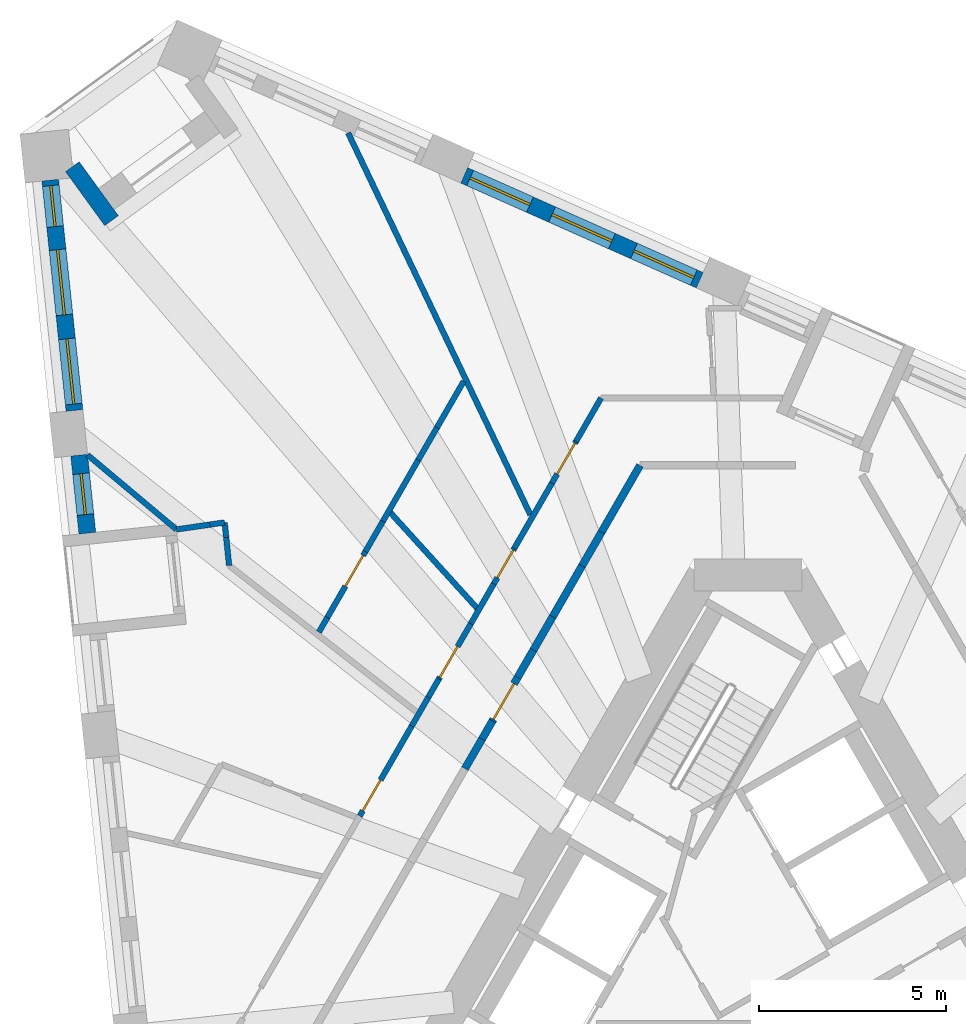
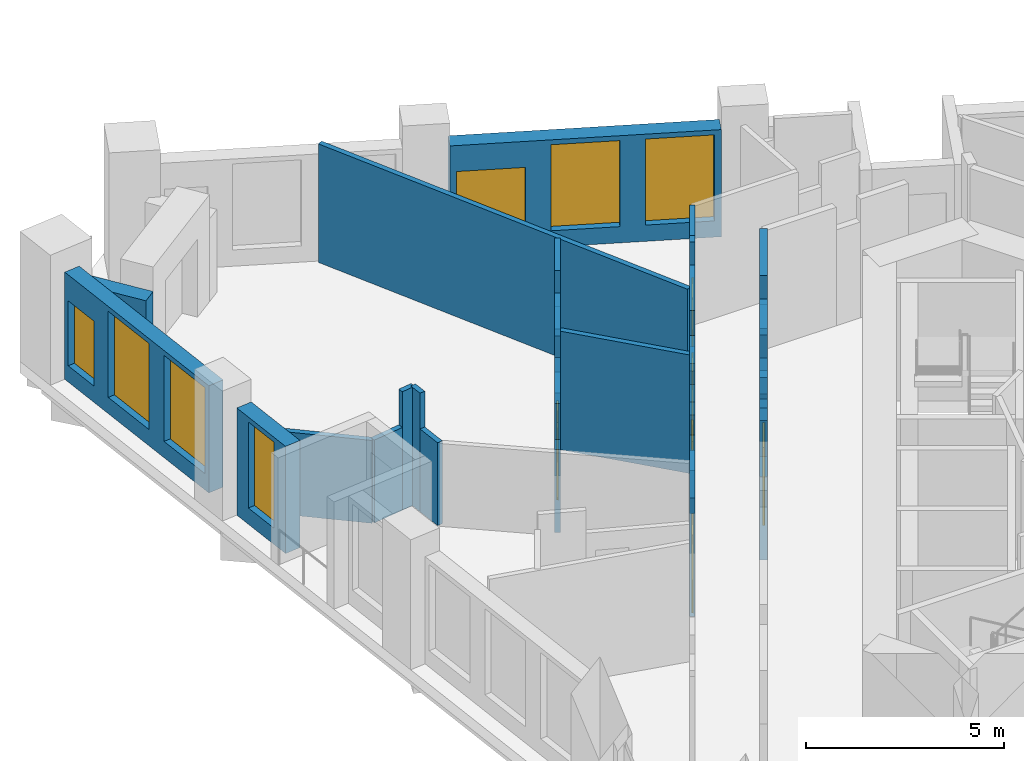
# One storey, part 7 of 14: 34 walls, 7 windows, 6 doors, 13 openings.
"""IFC4 building model written with IfcOpenShell, lengths in metres."""

from ifc_helpers import new_model, si_unit, direction, frame, frame_2d, origin, place, context, subcontext, project, spatial, polyline, rectangle, outline, extrude, material, layer, layer_set, type_object, element, fill, save


model = new_model("IFC4")

# Units and contexts
model_context = context("Model", 3, precision=1e-05, world=origin(), true_north=direction((0.0, 1.0)))
body_context = subcontext(model_context, "Body", "Model", "MODEL_VIEW")
ifc_project = project(units=[si_unit("LENGTHUNIT", "METRE"), si_unit("AREAUNIT", "SQUARE_METRE"), si_unit("VOLUMEUNIT", "CUBIC_METRE"), si_unit("PLANEANGLEUNIT", "RADIAN"), si_unit("MASSUNIT", "GRAM", prefix="KILO")], contexts=[model_context])

# Site, building, storey
site_placement = place(None, origin())
site = spatial("IfcSite", under=ifc_project, at=site_placement, CompositionType="ELEMENT")
building_placement = place(site_placement, origin())
building = spatial("IfcBuilding", under=site, at=building_placement, Name="Tramontana Tower", CompositionType="ELEMENT")
storey_placement = place(building_placement, frame((0.0, 0.0, 174.800048828125)))
storey = spatial("IfcBuildingStorey", under=building, at=storey_placement, Name="L40", CompositionType="ELEMENT", Elevation=174.800048828125)

# Walls
ifc_material_1 = material(Name="Blockwork", Category="masonry")
ifc_layer_1 = layer(ifc_material_1, 0.199951171875)
ifc_layer_set_1 = layer_set([ifc_layer_1], Name="ENTRY WALL 200")
wall_type_1 = type_object("IfcWallType", Name="ENTRY WALL 200", PredefinedType="SOLIDWALL", material=ifc_layer_set_1)
wall_1_placement = place(storey_placement, frame((-7.561279296875, 5.403564453125, 0.0), z_axis=(0.0, 0.0, 1.0), x_axis=(0.499977996243, 0.866038107287, 0.0)))
element("IfcWall", 1, at=wall_1_placement, inside=storey, type_object=wall_type_1, Name="Wall v41-ew4-5", PredefinedType="SOLIDWALL", context=body_context, shape_type="SweptSolid", body=[
    extrude(rectangle(XDim=0.90966796875, YDim=0.199951171875, at=frame_2d((0.454833984375, 0.0))), origin(), (0.0, 0.0, 1.0), 2.550048828125),
])
wall_2_placement = place(storey_placement, frame((-7.1064453125, 6.19140625, 0.0), z_axis=(0.0, 0.0, 1.0), x_axis=(0.499986818241, 0.866033014143, 0.0)))
element("IfcWall", 2, at=wall_2_placement, inside=storey, type_object=wall_type_1, Name="Wall v41-ew4-6", PredefinedType="SOLIDWALL", context=body_context, shape_type="SweptSolid", body=[
    extrude(rectangle(XDim=0.5595703125, YDim=0.199951171875, at=frame_2d((0.27978515625, 0.0))), origin(), (0.0, 0.0, 1.0), 3.64990234375),
])

# Wall, opening, door
wall_3_placement = place(storey_placement, frame((-6.82666015625, 6.676025390625, 0.0), z_axis=(0.0, 0.0, 1.0), x_axis=(0.500062873969, 0.865989100438, 0.0)))
wall_3 = element("IfcWall", 3, at=wall_3_placement, inside=storey, type_object=wall_type_1, Name="Wall v41-ew4-7", PredefinedType="SOLIDWALL", context=body_context, shape_type="SweptSolid", body=[
    extrude(outline(polyline([(0.0, 0.0), (1.344970703125, 0.0), (1.344970703125, 2.550048828125), (0.391357421875, 2.550048828125), (0.391357421875, 3.64990234375), (0.0, 3.64990234375), (0.0, 0.0)])), frame((0.0, 0.10009765625, 0.0), z_axis=(0.0, -1.0, 0.0), x_axis=(1.0, 0.0, 0.0)), (0.0, 0.0, 1.0), 0.199951171875),
])
opening_1_placement = place(wall_3_placement, frame((0.050048828125, 0.0, 0.0)))
opening_1 = element("IfcOpeningElement", 4, at=opening_1_placement, cuts=wall_3, Name="Opening B4B-24", PredefinedType="OPENING", context=body_context, shape_type="SweptSolid", body=[
    extrude(rectangle(XDim=1.10009765625, YDim=2.39990234375, at=frame_2d((0.550048828125, 1.199951171875))), frame((0.0, 0.10986328125, 0.0), z_axis=(0.0, -1.0, 0.0), x_axis=(1.0, 0.0, 0.0)), (0.0, 0.0, 1.0), 0.219970703125),
])
ifc_material_2 = material(Name="Painted timber", Category="wood")
door_type_1 = type_object("IfcDoorType", Name="DOOR ENTRY 1100", OperationType="SINGLE_SWING_LEFT", PredefinedType="DOOR", material=ifc_material_2)
door_1_placement = place(opening_1_placement, origin())
door_1 = element("IfcDoor", 5, at=door_1_placement, inside=storey, type_object=door_type_1, Name="Door B4B-24", OperationType="SINGLE_SWING_RIGHT", OverallHeight=2.39990234375, OverallWidth=1.10009765625, PredefinedType="DOOR", context=body_context, shape_type="SweptSolid", body=[
    extrude(rectangle(XDim=1.10009765625, YDim=2.39990234375, at=frame_2d((0.550048828125, 1.199951171875))), frame((0.0, 0.02490234375, 0.0), z_axis=(0.0, -1.0, 0.0), x_axis=(1.0, 0.0, 0.0)), (0.0, 0.0, 1.0), 0.050048828125),
])
fill(opening_1, door_1)

# Walls
wall_4_placement = place(storey_placement, frame((-6.154052734375, 7.8408203125, 0.0), z_axis=(0.0, 0.0, 1.0), x_axis=(0.499822960955, 0.8661275932, 0.0)))
element("IfcWall", 6, at=wall_4_placement, inside=storey, type_object=wall_type_1, Name="Wall v41-ew4-8", PredefinedType="SOLIDWALL", context=body_context, shape_type="SweptSolid", body=[
    extrude(rectangle(XDim=0.841064453125, YDim=0.199951171875, at=frame_2d((0.42041015625, 0.0))), origin(), (0.0, 0.0, 1.0), 3.64990234375),
])
wall_5_placement = place(storey_placement, frame((-5.733642578125, 8.5693359375, 0.0), z_axis=(0.0, 0.0, 1.0), x_axis=(0.500079402778, 0.865979555715, 0.0)))
element("IfcWall", 7, at=wall_5_placement, inside=storey, type_object=wall_type_1, Name="Wall v41-ew4-9", PredefinedType="SOLIDWALL", context=body_context, shape_type="SweptSolid", body=[
    extrude(rectangle(XDim=1.026123046875, YDim=0.199951171875, at=frame_2d((0.51318359375, 0.0))), origin(), (0.0, 0.0, 1.0), 2.550048828125),
])
wall_6_placement = place(storey_placement, frame((-5.220458984375, 9.4580078125, 0.0), z_axis=(0.0, 0.0, 1.0), x_axis=(0.500031717574, 0.86600709086, 0.0)))
element("IfcWall", 8, at=wall_6_placement, inside=storey, type_object=wall_type_1, Name="Wall v41-ew4-10", PredefinedType="SOLIDWALL", context=body_context, shape_type="SweptSolid", body=[
    extrude(rectangle(XDim=1.57177734375, YDim=0.199951171875, at=frame_2d((0.785888671875, 0.0))), origin(), (0.0, 0.0, 1.0), 3.64990234375),
])
wall_7_placement = place(storey_placement, frame((-4.4345703125, 10.819091796875, 0.0), z_axis=(0.0, 0.0, 1.0), x_axis=(0.500054530113, 0.86599391852, 0.0)))
element("IfcWall", 9, at=wall_7_placement, inside=storey, type_object=wall_type_1, Name="Wall v41-ew4-11", PredefinedType="SOLIDWALL", context=body_context, shape_type="SweptSolid", body=[
    extrude(rectangle(XDim=1.03955078125, YDim=0.199951171875, at=frame_2d((0.519775390625, 0.0))), origin(), (0.0, 0.0, 1.0), 2.75),
])
wall_8_placement = place(storey_placement, frame((-3.914794921875, 11.71923828125, 0.0), z_axis=(0.0, 0.0, 1.0), x_axis=(0.499982825521, 0.866035319247, 0.0)))
element("IfcWall", 10, at=wall_8_placement, inside=storey, type_object=wall_type_1, Name="Wall v41-ew4-12", PredefinedType="SOLIDWALL", context=body_context, shape_type="SweptSolid", body=[
    extrude(rectangle(XDim=2.05615234375, YDim=0.199951171875, at=frame_2d((1.028076171875, 0.0))), origin(), (0.0, 0.0, 1.0), 3.64990234375),
])

# Wall, openings, windows
ifc_material_3 = material(Name="Precast concrete 60 MPa", Category="concrete")
ifc_layer_2 = layer(ifc_material_3, 0.449951171875)
ifc_layer_set_2 = layer_set([ifc_layer_2], Name="Precast concrete 60 MPa, 450 mm")
wall_type_2 = type_object("IfcWallType", Name="EW1 Stone-faced precast wall 450", PredefinedType="SOLIDWALL", material=ifc_layer_set_2)
wall_9_placement = place(storey_placement, frame((-18.63427734375, 21.116455078125, 0.0), z_axis=(0.0, 0.0, 1.0), x_axis=(0.104522399115, -0.994522532718, 0.0)))
wall_9 = element("IfcWall", 11, at=wall_9_placement, inside=storey, type_object=wall_type_2, Name="External wall L40 face 0 bay 1", PredefinedType="SOLIDWALL", context=body_context, shape_type="SweptSolid", body=[
    extrude(rectangle(XDim=6.182861328125, YDim=0.449951171875, at=frame_2d((3.09130859375, 0.0))), origin(), (0.0, 0.0, 1.0), 3.300048828125),
])
opening_2_placement = place(wall_9_placement, frame((0.147216796875, 0.0, 0.5)))
opening_2 = element("IfcOpeningElement", 12, at=opening_2_placement, cuts=wall_9, Name="Opening N2L", PredefinedType="OPENING", context=body_context, shape_type="SweptSolid", body=[
    extrude(rectangle(XDim=1.10009765625, YDim=2.0, at=frame_2d((0.550048828125, 1.0))), frame((0.0, 0.23486328125, 0.0), z_axis=(0.0, -1.0, 0.0), x_axis=(1.0, 0.0, 0.0)), (0.0, 0.0, 1.0), 0.469970703125),
])
opening_3_placement = place(wall_9_placement, frame((1.866455078125, 0.0, 0.5)))
opening_3 = element("IfcOpeningElement", 13, at=opening_3_placement, cuts=wall_9, Name="Opening M2", PredefinedType="OPENING", context=body_context, shape_type="SweptSolid", body=[
    extrude(rectangle(XDim=1.75, YDim=2.64990234375, at=frame_2d((0.875, 1.324951171875))), frame((0.0, 0.23486328125, 0.0), z_axis=(0.0, -1.0, 0.0), x_axis=(1.0, 0.0, 0.0)), (0.0, 0.0, 1.0), 0.469970703125),
])
opening_4_placement = place(wall_9_placement, frame((4.2607421875, 0.0, 0.5)))
opening_4 = element("IfcOpeningElement", 14, at=opening_4_placement, cuts=wall_9, Name="Opening M2", PredefinedType="OPENING", context=body_context, shape_type="SweptSolid", body=[
    extrude(rectangle(XDim=1.75, YDim=2.64990234375, at=frame_2d((0.875, 1.324951171875))), frame((0.0, 0.23486328125, 0.0), z_axis=(0.0, -1.0, 0.0), x_axis=(1.0, 0.0, 0.0)), (0.0, 0.0, 1.0), 0.469970703125),
])
ifc_material_4 = material(Name="Aluminum frame, double glazing unit", Category="aluminium")
window_type_1 = type_object("IfcWindowType", Name="M2 Window 1.75 x 2.65", PartitioningType="SINGLE_PANEL", PredefinedType="WINDOW", material=ifc_material_4)
window_1_placement = place(opening_3_placement, origin())
window_1 = element("IfcWindow", 15, at=window_1_placement, inside=storey, type_object=window_type_1, Name="Window M2 L40 face 0 module 2", OverallHeight=2.64990234375, OverallWidth=1.75, PartitioningType="SINGLE_PANEL", PredefinedType="WINDOW", context=body_context, shape_type="SweptSolid", body=[
    extrude(rectangle(XDim=1.75, YDim=2.64990234375, at=frame_2d((0.875, 1.324951171875))), frame((0.0, 0.030029296875, 0.0), z_axis=(0.0, -1.0, 0.0), x_axis=(1.0, 0.0, 0.0)), (0.0, 0.0, 1.0), 0.06005859375),
])
fill(opening_3, window_1)
window_2_placement = place(opening_4_placement, origin())
window_2 = element("IfcWindow", 16, at=window_2_placement, inside=storey, type_object=window_type_1, Name="Window M2 L40 face 0 module 3", OverallHeight=2.64990234375, OverallWidth=1.75, PartitioningType="SINGLE_PANEL", PredefinedType="WINDOW", context=body_context, shape_type="SweptSolid", body=[
    extrude(rectangle(XDim=1.75, YDim=2.64990234375, at=frame_2d((0.875, 1.324951171875))), frame((0.0, 0.030029296875, 0.0), z_axis=(0.0, -1.0, 0.0), x_axis=(1.0, 0.0, 0.0)), (0.0, 0.0, 1.0), 0.06005859375),
])
fill(opening_4, window_2)
ifc_material_5 = material(Name="Aluminum frame, double glazing unit", Category="aluminium")
window_type_2 = type_object("IfcWindowType", Name="N2L Window 1.1 x 2", PartitioningType="SINGLE_PANEL", PredefinedType="WINDOW", material=ifc_material_5)
window_3_placement = place(opening_2_placement, origin())
window_3 = element("IfcWindow", 17, at=window_3_placement, inside=storey, type_object=window_type_2, Name="Window N2L L40 face 0 module 1", OverallHeight=2.0, OverallWidth=1.10009765625, PartitioningType="SINGLE_PANEL", PredefinedType="WINDOW", context=body_context, shape_type="SweptSolid", body=[
    extrude(rectangle(XDim=1.10009765625, YDim=2.0, at=frame_2d((0.550048828125, 1.0))), frame((0.0, 0.030029296875, 0.0), z_axis=(0.0, -1.0, 0.0), x_axis=(1.0, 0.0, 0.0)), (0.0, 0.0, 1.0), 0.06005859375),
])
fill(opening_2, window_3)

# Wall, opening, window
wall_10_placement = place(storey_placement, frame((-17.862548828125, 13.774169921875, 0.0), z_axis=(0.0, 0.0, 1.0), x_axis=(0.104442071108, -0.994530971756, 0.0)))
wall_10 = element("IfcWall", 18, at=wall_10_placement, inside=storey, type_object=wall_type_2, Name="External wall L40 face 0 bay 2", PredefinedType="SOLIDWALL", context=body_context, shape_type="SweptSolid", body=[
    extrude(rectangle(XDim=2.094482421875, YDim=0.449951171875, at=frame_2d((1.04736328125, 0.0))), origin(), (0.0, 0.0, 1.0), 3.300048828125),
])
opening_5_placement = place(wall_10_placement, frame((0.4970703125, 0.0, 0.5)))
opening_5 = element("IfcOpeningElement", 19, at=opening_5_placement, cuts=wall_10, Name="Opening N2", PredefinedType="OPENING", context=body_context, shape_type="SweptSolid", body=[
    extrude(rectangle(XDim=1.10009765625, YDim=2.64990234375, at=frame_2d((0.550048828125, 1.324951171875))), frame((0.0, 0.23486328125, 0.0), z_axis=(0.0, -1.0, 0.0), x_axis=(1.0, 0.0, 0.0)), (0.0, 0.0, 1.0), 0.469970703125),
])
ifc_material_6 = material(Name="Aluminum frame, double glazing unit", Category="aluminium")
window_type_3 = type_object("IfcWindowType", Name="N2 Window 1.1 x 2.65", PartitioningType="SINGLE_PANEL", PredefinedType="WINDOW", material=ifc_material_6)
window_4_placement = place(opening_5_placement, origin())
window_4 = element("IfcWindow", 20, at=window_4_placement, inside=storey, type_object=window_type_3, Name="Window N2 L40 face 0 module 4", OverallHeight=2.64990234375, OverallWidth=1.10009765625, PartitioningType="SINGLE_PANEL", PredefinedType="WINDOW", context=body_context, shape_type="SweptSolid", body=[
    extrude(rectangle(XDim=1.10009765625, YDim=2.64990234375, at=frame_2d((0.550048828125, 1.324951171875))), frame((0.0, 0.030029296875, 0.0), z_axis=(0.0, -1.0, 0.0), x_axis=(1.0, 0.0, 0.0)), (0.0, 0.0, 1.0), 0.06005859375),
])
fill(opening_5, window_4)

# Wall, openings, windows
wall_11_placement = place(storey_placement, frame((-1.292236328125, 18.4453125, 0.0), z_axis=(0.0, 0.0, 1.0), x_axis=(-0.913543675585, 0.40674064562, 0.0)))
wall_11 = element("IfcWall", 21, at=wall_11_placement, inside=storey, type_object=wall_type_2, Name="External wall L40 face 2 bay 5", PredefinedType="SOLIDWALL", context=body_context, shape_type="SweptSolid", body=[
    extrude(rectangle(XDim=6.8828125, YDim=0.449951171875, at=frame_2d((3.44140625, 0.0))), origin(), (0.0, 0.0, 1.0), 3.300048828125),
])
opening_6_placement = place(wall_11_placement, frame((0.172119140625, 0.0, 0.5)))
opening_6 = element("IfcOpeningElement", 22, at=opening_6_placement, cuts=wall_11, Name="Opening M2", PredefinedType="OPENING", context=body_context, shape_type="SweptSolid", body=[
    extrude(rectangle(XDim=1.75, YDim=2.64990234375, at=frame_2d((0.875, 1.324951171875))), frame((0.0, 0.23486328125, 0.0), z_axis=(0.0, -1.0, 0.0), x_axis=(1.0, 0.0, 0.0)), (0.0, 0.0, 1.0), 0.469970703125),
])
opening_7_placement = place(wall_11_placement, frame((2.56640625, 0.0, 0.5)))
opening_7 = element("IfcOpeningElement", 23, at=opening_7_placement, cuts=wall_11, Name="Opening M2", PredefinedType="OPENING", context=body_context, shape_type="SweptSolid", body=[
    extrude(rectangle(XDim=1.75, YDim=2.64990234375, at=frame_2d((0.875, 1.324951171875))), frame((0.0, 0.23486328125, 0.0), z_axis=(0.0, -1.0, 0.0), x_axis=(1.0, 0.0, 0.0)), (0.0, 0.0, 1.0), 0.469970703125),
])
opening_8_placement = place(wall_11_placement, frame((4.960693359375, 0.0, 0.5)))
opening_8 = element("IfcOpeningElement", 24, at=opening_8_placement, cuts=wall_11, Name="Opening M2L", PredefinedType="OPENING", context=body_context, shape_type="SweptSolid", body=[
    extrude(rectangle(XDim=1.75, YDim=2.0, at=frame_2d((0.875, 1.0))), frame((0.0, 0.23486328125, 0.0), z_axis=(0.0, -1.0, 0.0), x_axis=(1.0, 0.0, 0.0)), (0.0, 0.0, 1.0), 0.469970703125),
])
window_5_placement = place(opening_6_placement, origin())
window_5 = element("IfcWindow", 25, at=window_5_placement, inside=storey, type_object=window_type_1, Name="Window M2 L40 face 2 module 13", OverallHeight=2.64990234375, OverallWidth=1.75, PartitioningType="SINGLE_PANEL", PredefinedType="WINDOW", context=body_context, shape_type="SweptSolid", body=[
    extrude(rectangle(XDim=1.75, YDim=2.64990234375, at=frame_2d((0.875, 1.324951171875))), frame((0.0, 0.030029296875, 0.0), z_axis=(0.0, -1.0, 0.0), x_axis=(1.0, 0.0, 0.0)), (0.0, 0.0, 1.0), 0.06005859375),
])
fill(opening_6, window_5)
window_6_placement = place(opening_7_placement, origin())
window_6 = element("IfcWindow", 26, at=window_6_placement, inside=storey, type_object=window_type_1, Name="Window M2 L40 face 2 module 14", OverallHeight=2.64990234375, OverallWidth=1.75, PartitioningType="SINGLE_PANEL", PredefinedType="WINDOW", context=body_context, shape_type="SweptSolid", body=[
    extrude(rectangle(XDim=1.75, YDim=2.64990234375, at=frame_2d((0.875, 1.324951171875))), frame((0.0, 0.030029296875, 0.0), z_axis=(0.0, -1.0, 0.0), x_axis=(1.0, 0.0, 0.0)), (0.0, 0.0, 1.0), 0.06005859375),
])
fill(opening_7, window_6)
ifc_material_7 = material(Name="Aluminum frame, double glazing unit", Category="aluminium")
window_type_4 = type_object("IfcWindowType", Name="M2L Window 1.75 x 2", PartitioningType="SINGLE_PANEL", PredefinedType="WINDOW", material=ifc_material_7)
window_7_placement = place(opening_8_placement, origin())
window_7 = element("IfcWindow", 27, at=window_7_placement, inside=storey, type_object=window_type_4, Name="Window M2L L40 face 2 module 15", OverallHeight=2.0, OverallWidth=1.75, PartitioningType="SINGLE_PANEL", PredefinedType="WINDOW", context=body_context, shape_type="SweptSolid", body=[
    extrude(rectangle(XDim=1.75, YDim=2.0, at=frame_2d((0.875, 1.0))), frame((0.0, 0.030029296875, 0.0), z_axis=(0.0, -1.0, 0.0), x_axis=(1.0, 0.0, 0.0)), (0.0, 0.0, 1.0), 0.06005859375),
])
fill(opening_8, window_7)

# Walls
wall_12_placement = place(storey_placement, frame((-18.04345703125, 21.474853515625, 0.0), z_axis=(0.0, 0.0, 1.0), x_axis=(0.587722853316, -0.809062326209, 0.0)))
element("IfcWall", 28, at=wall_12_placement, inside=storey, type_object=wall_type_2, Name="Corner loggia side wall L40 K40l", PredefinedType="SOLIDWALL", context=body_context, shape_type="SweptSolid", body=[
    extrude(rectangle(XDim=1.779052734375, YDim=0.449951171875, at=frame_2d((0.8896484375, 0.0))), origin(), (0.0, 0.0, 1.0), 2.550048828125),
])
ifc_material_8 = material(Name="Gypsum board partition")
ifc_layer_3 = layer(ifc_material_8, 0.14990234375)
ifc_layer_set_3 = layer_set([ifc_layer_3], Name="PARTITION 150")
wall_type_3 = type_object("IfcWallType", Name="PARTITION 150", PredefinedType="PARTITIONING", material=ifc_layer_set_3)
wall_13_placement = place(storey_placement, frame((-15.26611328125, 11.790283203125, 0.0), z_axis=(0.0, 0.0, 1.0), x_axis=(-0.766063729465, 0.642764624414, 0.0)))
element("IfcWall", 29, at=wall_13_placement, inside=storey, type_object=wall_type_3, Name="Wall v41-pw01-0", PredefinedType="PARTITIONING", context=body_context, shape_type="SweptSolid", body=[
    extrude(rectangle(XDim=3.0947265625, YDim=0.14990234375, at=frame_2d((1.54736328125, 0.0))), origin(), (0.0, 0.0, 1.0), 2.550048828125),
])

# Wall, opening, door
wall_14_placement = place(storey_placement, frame((-10.369384765625, 4.1396484375, 0.0), z_axis=(0.0, 0.0, 1.0), x_axis=(0.50000932403, 0.866020020486, 0.0)))
wall_14 = element("IfcWall", 30, at=wall_14_placement, inside=storey, type_object=wall_type_3, Name="Wall v41-pw02-4", PredefinedType="PARTITIONING", context=body_context, shape_type="SweptSolid", body=[
    extrude(rectangle(XDim=2.77490234375, YDim=0.14990234375, at=frame_2d((1.387451171875, 0.0))), origin(), (0.0, 0.0, 1.0), 3.64990234375),
])
opening_9_placement = place(wall_14_placement, frame((0.15966796875, 0.0, 0.0)))
opening_9 = element("IfcOpeningElement", 31, at=opening_9_placement, cuts=wall_14, Name="Opening B4B-04", PredefinedType="OPENING", context=body_context, shape_type="SweptSolid", body=[
    extrude(rectangle(XDim=0.949951171875, YDim=2.39990234375, at=frame_2d((0.47509765625, 1.199951171875))), frame((0.0, 0.0849609375, 0.0), z_axis=(0.0, -1.0, 0.0), x_axis=(1.0, 0.0, 0.0)), (0.0, 0.0, 1.0), 0.169921875),
])
ifc_material_9 = material(Name="Painted timber", Category="wood")
door_type_2 = type_object("IfcDoorType", Name="DOOR ROOM 950", OperationType="SINGLE_SWING_LEFT", PredefinedType="DOOR", material=ifc_material_9)
door_2_placement = place(opening_9_placement, origin())
door_2 = element("IfcDoor", 32, at=door_2_placement, inside=storey, type_object=door_type_2, Name="Door B4B-04", OperationType="SINGLE_SWING_RIGHT", OverallHeight=2.39990234375, OverallWidth=0.949951171875, PredefinedType="DOOR", context=body_context, shape_type="SweptSolid", body=[
    extrude(rectangle(XDim=0.949951171875, YDim=2.39990234375, at=frame_2d((0.47509765625, 1.199951171875))), frame((0.0, 0.02490234375, 0.0), z_axis=(0.0, -1.0, 0.0), x_axis=(1.0, 0.0, 0.0)), (0.0, 0.0, 1.0), 0.050048828125),
])
fill(opening_9, door_2)

# Walls
wall_15_placement = place(storey_placement, frame((-8.98193359375, 6.542724609375, 0.0), z_axis=(0.0, 0.0, 1.0), x_axis=(0.499969398072, 0.866043071095, 0.0)))
element("IfcWall", 33, at=wall_15_placement, inside=storey, type_object=wall_type_3, Name="Wall v41-pw02-5", PredefinedType="PARTITIONING", context=body_context, shape_type="SweptSolid", body=[
    extrude(rectangle(XDim=0.88427734375, YDim=0.14990234375, at=frame_2d((0.442138671875, 0.0))), origin(), (0.0, 0.0, 1.0), 2.550048828125),
])
wall_16_placement = place(storey_placement, frame((-8.539794921875, 7.30859375, 0.0), z_axis=(0.0, 0.0, 1.0), x_axis=(0.500069835465, 0.865985080505, 0.0)))
element("IfcWall", 34, at=wall_16_placement, inside=storey, type_object=wall_type_3, Name="Wall v41-pw02-6", PredefinedType="PARTITIONING", context=body_context, shape_type="SweptSolid", body=[
    extrude(rectangle(XDim=0.56787109375, YDim=0.14990234375, at=frame_2d((0.283935546875, 0.0))), origin(), (0.0, 0.0, 1.0), 3.64990234375),
])

# Wall, opening, door
wall_17_placement = place(storey_placement, frame((-8.255859375, 7.80029296875, 0.0), z_axis=(0.0, 0.0, 1.0), x_axis=(0.499933497514, 0.866063795608, 0.0)))
wall_17 = element("IfcWall", 35, at=wall_17_placement, inside=storey, type_object=wall_type_3, Name="Wall v41-pw02-7", PredefinedType="PARTITIONING", context=body_context, shape_type="SweptSolid", body=[
    extrude(outline(polyline([(0.0, 0.0), (1.702392578125, 0.0), (1.70263671875, 2.550048828125), (0.775634765625, 2.550048828125), (0.775634765625, 3.64990234375), (0.0, 3.64990234375), (0.0, 0.0)])), frame((0.0, 0.074951171875, 0.0), z_axis=(0.0, -1.0, 0.0), x_axis=(1.0, 0.0, 0.0)), (0.0, 0.0, 1.0), 0.14990234375),
])
opening_10_placement = place(wall_17_placement, frame((0.050048828125, 0.0, 0.0)))
opening_10 = element("IfcOpeningElement", 36, at=opening_10_placement, cuts=wall_17, Name="Opening B4B-01", PredefinedType="OPENING", context=body_context, shape_type="SweptSolid", body=[
    extrude(rectangle(XDim=0.949951171875, YDim=2.39990234375, at=frame_2d((0.47509765625, 1.199951171875))), frame((0.0, 0.0849609375, 0.0), z_axis=(0.0, -1.0, 0.0), x_axis=(1.0, 0.0, 0.0)), (0.0, 0.0, 1.0), 0.169921875),
])
door_3_placement = place(opening_10_placement, origin())
door_3 = element("IfcDoor", 37, at=door_3_placement, inside=storey, type_object=door_type_2, Name="Door B4B-01", OperationType="SINGLE_SWING_LEFT", OverallHeight=2.39990234375, OverallWidth=0.949951171875, PredefinedType="DOOR", context=body_context, shape_type="SweptSolid", body=[
    extrude(rectangle(XDim=0.949951171875, YDim=2.39990234375, at=frame_2d((0.47509765625, 1.199951171875))), frame((0.0, 0.02490234375, 0.0), z_axis=(0.0, -1.0, 0.0), x_axis=(1.0, 0.0, 0.0)), (0.0, 0.0, 1.0), 0.050048828125),
])
fill(opening_10, door_3)

# Wall
wall_18_placement = place(storey_placement, frame((-7.40478515625, 9.274658203125, 0.0), z_axis=(0.0, 0.0, 1.0), x_axis=(0.500061746146, 0.865989751695, 0.0)))
element("IfcWall", 38, at=wall_18_placement, inside=storey, type_object=wall_type_3, Name="Wall v41-pw02-8", PredefinedType="PARTITIONING", context=body_context, shape_type="SweptSolid", body=[
    extrude(rectangle(XDim=1.224853515625, YDim=0.14990234375, at=frame_2d((0.6123046875, 0.0))), origin(), (0.0, 0.0, 1.0), 3.64990234375),
])

# Wall, opening, door
wall_19_placement = place(storey_placement, frame((-6.792236328125, 10.33544921875, 0.0), z_axis=(0.0, 0.0, 1.0), x_axis=(0.500031897912, 0.866006986733, 0.0)))
wall_19 = element("IfcWall", 39, at=wall_19_placement, inside=storey, type_object=wall_type_3, Name="Wall v41-pw02-9", PredefinedType="PARTITIONING", context=body_context, shape_type="SweptSolid", body=[
    extrude(rectangle(XDim=1.0927734375, YDim=0.14990234375, at=frame_2d((0.54638671875, 0.0))), origin(), (0.0, 0.0, 1.0), 2.550048828125),
])
opening_11_placement = place(wall_19_placement, frame((0.192626953125, 0.0, 0.0)))
opening_11 = element("IfcOpeningElement", 40, at=opening_11_placement, cuts=wall_19, Name="Opening B4B-02", PredefinedType="OPENING", context=body_context, shape_type="SweptSolid", body=[
    extrude(rectangle(XDim=0.85009765625, YDim=2.39990234375, at=frame_2d((0.425048828125, 1.199951171875))), frame((0.0, 0.0849609375, 0.0), z_axis=(0.0, -1.0, 0.0), x_axis=(1.0, 0.0, 0.0)), (0.0, 0.0, 1.0), 0.169921875),
])
ifc_material_10 = material(Name="Painted timber", Category="wood")
door_type_3 = type_object("IfcDoorType", Name="DOOR BATH 850", OperationType="SINGLE_SWING_LEFT", PredefinedType="DOOR", material=ifc_material_10)
door_4_placement = place(opening_11_placement, origin())
door_4 = element("IfcDoor", 41, at=door_4_placement, inside=storey, type_object=door_type_3, Name="Door B4B-02", OperationType="SINGLE_SWING_RIGHT", OverallHeight=2.39990234375, OverallWidth=0.85009765625, PredefinedType="DOOR", context=body_context, shape_type="SweptSolid", body=[
    extrude(rectangle(XDim=0.85009765625, YDim=2.39990234375, at=frame_2d((0.425048828125, 1.199951171875))), frame((0.0, 0.02490234375, 0.0), z_axis=(0.0, -1.0, 0.0), x_axis=(1.0, 0.0, 0.0)), (0.0, 0.0, 1.0), 0.050048828125),
])
fill(opening_11, door_4)

# Wall
wall_20_placement = place(storey_placement, frame((-6.245849609375, 11.28173828125, 0.0), z_axis=(0.0, 0.0, 1.0), x_axis=(0.499984757355, 0.866034203951, 0.0)))
element("IfcWall", 42, at=wall_20_placement, inside=storey, type_object=wall_type_3, Name="Wall v41-pw02-10", PredefinedType="PARTITIONING", context=body_context, shape_type="SweptSolid", body=[
    extrude(rectangle(XDim=2.01416015625, YDim=0.14990234375, at=frame_2d((1.007080078125, 0.0))), origin(), (0.0, 0.0, 1.0), 3.64990234375),
])

# Wall, opening, door
wall_21_placement = place(storey_placement, frame((-5.23876953125, 13.026123046875, 0.0), z_axis=(0.0, 0.0, 1.0), x_axis=(0.500013971981, 0.866017336907, 0.0)))
wall_21 = element("IfcWall", 43, at=wall_21_placement, inside=storey, type_object=wall_type_3, Name="Wall v41-pw02-11", PredefinedType="PARTITIONING", context=body_context, shape_type="SweptSolid", body=[
    extrude(outline(polyline([(0.0, 0.0), (1.28076171875, 0.0), (1.28076171875, 3.64990234375), (1.0068359375, 3.64990234375), (1.0068359375, 2.75), (0.0, 2.75), (0.0, 0.0)])), frame((0.0, 0.074951171875, 0.0), z_axis=(0.0, -1.0, 0.0), x_axis=(1.0, 0.0, 0.0)), (0.0, 0.0, 1.0), 0.14990234375),
])
opening_12_placement = place(wall_21_placement, frame((0.28076171875, 0.0, 0.0)))
opening_12 = element("IfcOpeningElement", 44, at=opening_12_placement, cuts=wall_21, Name="Opening B4B-03", PredefinedType="OPENING", context=body_context, shape_type="SweptSolid", body=[
    extrude(rectangle(XDim=0.949951171875, YDim=2.39990234375, at=frame_2d((0.47509765625, 1.199951171875))), frame((0.0, 0.0849609375, 0.0), z_axis=(0.0, -1.0, 0.0), x_axis=(1.0, 0.0, 0.0)), (0.0, 0.0, 1.0), 0.169921875),
])
door_5_placement = place(opening_12_placement, origin())
door_5 = element("IfcDoor", 45, at=door_5_placement, inside=storey, type_object=door_type_2, Name="Door B4B-03", OperationType="SINGLE_SWING_LEFT", OverallHeight=2.39990234375, OverallWidth=0.949951171875, PredefinedType="DOOR", context=body_context, shape_type="SweptSolid", body=[
    extrude(rectangle(XDim=0.949951171875, YDim=2.39990234375, at=frame_2d((0.47509765625, 1.199951171875))), frame((0.0, 0.02490234375, 0.0), z_axis=(0.0, -1.0, 0.0), x_axis=(1.0, 0.0, 0.0)), (0.0, 0.0, 1.0), 0.050048828125),
])
fill(opening_12, door_5)

# Walls
wall_22_placement = place(storey_placement, frame((-4.598388671875, 14.13525390625, 0.0), z_axis=(0.0, 0.0, 1.0), x_axis=(0.500005339912, 0.866022320763, 0.0)))
element("IfcWall", 46, at=wall_22_placement, inside=storey, type_object=wall_type_3, Name="Wall v41-pw02-12", PredefinedType="PARTITIONING", context=body_context, shape_type="SweptSolid", body=[
    extrude(rectangle(XDim=1.3447265625, YDim=0.14990234375, at=frame_2d((0.67236328125, 0.0))), origin(), (0.0, 0.0, 1.0), 3.64990234375),
])
wall_23_placement = place(storey_placement, frame((-13.980224609375, 11.97607421875, 0.0), z_axis=(0.0, 0.0, 1.0), x_axis=(-0.989726419038, -0.142974177594, 0.0)))
element("IfcWall", 47, at=wall_23_placement, inside=storey, type_object=wall_type_3, Name="Wall v41-pw10-0", PredefinedType="PARTITIONING", context=body_context, shape_type="SweptSolid", body=[
    extrude(rectangle(XDim=0.396240234375, YDim=0.14990234375, at=frame_2d((0.1982421875, 0.0))), origin(), (0.0, 0.0, 1.0), 3.64990234375),
])
wall_24_placement = place(storey_placement, frame((-14.372314453125, 11.91943359375, 0.0), z_axis=(0.0, 0.0, 1.0), x_axis=(-0.989721130338, -0.143010783379, 0.0)))
element("IfcWall", 48, at=wall_24_placement, inside=storey, type_object=wall_type_3, Name="Wall v41-pw10-1", PredefinedType="PARTITIONING", context=body_context, shape_type="SweptSolid", body=[
    extrude(rectangle(XDim=0.903076171875, YDim=0.14990234375, at=frame_2d((0.45166015625, 0.0))), origin(), (0.0, 0.0, 1.0), 2.550048828125),
])
wall_25_placement = place(storey_placement, frame((-13.857421875, 10.82666015625, 0.0), z_axis=(0.0, 0.0, 1.0), x_axis=(-0.104549570968, 0.994519676633, 0.0)))
element("IfcWall", 49, at=wall_25_placement, inside=storey, type_object=wall_type_3, Name="Wall v41-pw11-0", PredefinedType="PARTITIONING", context=body_context, shape_type="SweptSolid", body=[
    extrude(rectangle(XDim=0.751953125, YDim=0.14990234375, at=frame_2d((0.3759765625, 0.0))), origin(), (0.0, 0.0, 1.0), 2.550048828125),
])
wall_26_placement = place(storey_placement, frame((-13.93603515625, 11.574462890625, 0.0), z_axis=(0.0, 0.0, 1.0), x_axis=(-0.104495033746, 0.994525408385, 0.0)))
element("IfcWall", 50, at=wall_26_placement, inside=storey, type_object=wall_type_3, Name="Wall v41-pw11-1", PredefinedType="PARTITIONING", context=body_context, shape_type="SweptSolid", body=[
    extrude(rectangle(XDim=0.40185546875, YDim=0.14990234375, at=frame_2d((0.200927734375, 0.0))), origin(), (0.0, 0.0, 1.0), 3.64990234375),
])
wall_27_placement = place(storey_placement, frame((-11.460693359375, 9.049560546875, 0.0), z_axis=(0.0, 0.0, 1.0), x_axis=(0.500160228243, 0.8659328762, 0.0)))
element("IfcWall", 51, at=wall_27_placement, inside=storey, type_object=wall_type_3, Name="Wall v41-pw15-0", PredefinedType="PARTITIONING", context=body_context, shape_type="SweptSolid", body=[
    extrude(rectangle(XDim=0.450439453125, YDim=0.14990234375, at=frame_2d((0.22509765625, 0.0))), origin(), (0.0, 0.0, 1.0), 2.550048828125),
])

# Wall, opening, door
wall_28_placement = place(storey_placement, frame((-11.2353515625, 9.439697265625, 0.0), z_axis=(0.0, 0.0, 1.0), x_axis=(0.500009753642, 0.866019772443, 0.0)))
wall_28 = element("IfcWall", 52, at=wall_28_placement, inside=storey, type_object=wall_type_3, Name="Wall v41-pw15-1", PredefinedType="PARTITIONING", context=body_context, shape_type="SweptSolid", body=[
    extrude(rectangle(XDim=2.03515625, YDim=0.14990234375, at=frame_2d((1.017578125, 0.0))), origin(), (0.0, 0.0, 1.0), 3.64990234375),
])
opening_13_placement = place(wall_28_placement, frame((0.962158203125, 0.0, 0.0)))
opening_13 = element("IfcOpeningElement", 53, at=opening_13_placement, cuts=wall_28, Name="Opening B4B-23", PredefinedType="OPENING", context=body_context, shape_type="SweptSolid", body=[
    extrude(rectangle(XDim=0.949951171875, YDim=2.39990234375, at=frame_2d((0.47509765625, 1.199951171875))), frame((0.0, 0.0849609375, 0.0), z_axis=(0.0, -1.0, 0.0), x_axis=(1.0, 0.0, 0.0)), (0.0, 0.0, 1.0), 0.169921875),
])
door_6_placement = place(opening_13_placement, origin())
door_6 = element("IfcDoor", 54, at=door_6_placement, inside=storey, type_object=door_type_2, Name="Door B4B-23", OperationType="SINGLE_SWING_LEFT", OverallHeight=2.39990234375, OverallWidth=0.949951171875, PredefinedType="DOOR", context=body_context, shape_type="SweptSolid", body=[
    extrude(rectangle(XDim=0.949951171875, YDim=2.39990234375, at=frame_2d((0.47509765625, 1.199951171875))), frame((0.0, 0.02490234375, 0.0), z_axis=(0.0, -1.0, 0.0), x_axis=(1.0, 0.0, 0.0)), (0.0, 0.0, 1.0), 0.050048828125),
])
fill(opening_13, door_6)

# Walls
wall_29_placement = place(storey_placement, frame((-10.2177734375, 11.2021484375, 0.0), z_axis=(0.0, 0.0, 1.0), x_axis=(0.499935264145, 0.866062775822, 0.0)))
element("IfcWall", 55, at=wall_29_placement, inside=storey, type_object=wall_type_3, Name="Wall v41-pw15-2", PredefinedType="PARTITIONING", context=body_context, shape_type="SweptSolid", body=[
    extrude(rectangle(XDim=0.9267578125, YDim=0.14990234375, at=frame_2d((0.46337890625, 0.0))), origin(), (0.0, 0.0, 1.0), 2.550048828125),
])
wall_30_placement = place(storey_placement, frame((-9.75439453125, 12.0048828125, 0.0), z_axis=(0.0, 0.0, 1.0), x_axis=(0.499971120268, 0.866042076863, 0.0)))
element("IfcWall", 56, at=wall_30_placement, inside=storey, type_object=wall_type_3, Name="Wall v41-pw15-3", PredefinedType="PARTITIONING", context=body_context, shape_type="SweptSolid", body=[
    extrude(rectangle(XDim=1.89794921875, YDim=0.14990234375, at=frame_2d((0.948974609375, 0.0))), origin(), (0.0, 0.0, 1.0), 3.64990234375),
])
wall_31_placement = place(storey_placement, frame((-8.805419921875, 13.648681640625, 0.0), z_axis=(0.0, 0.0, 1.0), x_axis=(0.499955472713, 0.866051110099, 0.0)))
element("IfcWall", 57, at=wall_31_placement, inside=storey, type_object=wall_type_3, Name="Wall v41-pw15-4", PredefinedType="PARTITIONING", context=body_context, shape_type="SweptSolid", body=[
    extrude(rectangle(XDim=0.99755859375, YDim=0.14990234375, at=frame_2d((0.498779296875, 0.0))), origin(), (0.0, 0.0, 1.0), 2.550048828125),
])
wall_32_placement = place(storey_placement, frame((-8.306640625, 14.5126953125, 0.0), z_axis=(0.0, 0.0, 1.0), x_axis=(0.500059846627, 0.865990848561, 0.0)))
element("IfcWall", 58, at=wall_32_placement, inside=storey, type_object=wall_type_3, Name="Wall v41-pw15-5", PredefinedType="PARTITIONING", context=body_context, shape_type="SweptSolid", body=[
    extrude(rectangle(XDim=1.419677734375, YDim=0.14990234375, at=frame_2d((0.7099609375, 0.0))), origin(), (0.0, 0.0, 1.0), 3.64990234375),
])
wall_33_placement = place(storey_placement, frame((-10.68115234375, 22.379150390625, 0.0), z_axis=(0.0, 0.0, 1.0), x_axis=(0.430745182643, -0.902473593868, 0.0)))
element("IfcWall", 59, at=wall_33_placement, inside=storey, type_object=wall_type_3, Name="Wall v41-pw18", PredefinedType="PARTITIONING", context=body_context, shape_type="SweptSolid", body=[
    extrude(rectangle(XDim=11.300537109375, YDim=0.14990234375, at=frame_2d((5.650390625, 0.0))), origin(), (0.0, 0.0, 1.0), 3.64990234375),
])
wall_34_placement = place(storey_placement, frame((-9.59130859375, 12.283203125, 0.0), z_axis=(0.0, 0.0, 1.0), x_axis=(0.671834154891, -0.740701605454, 0.0)))
element("IfcWall", 60, at=wall_34_placement, inside=storey, type_object=wall_type_3, Name="Wall v41-pw19", PredefinedType="PARTITIONING", context=body_context, shape_type="SweptSolid", body=[
    extrude(rectangle(XDim=3.56640625, YDim=0.14990234375, at=frame_2d((1.783203125, 0.0))), origin(), (0.0, 0.0, 1.0), 3.64990234375),
])

save(model, "model.ifc")
